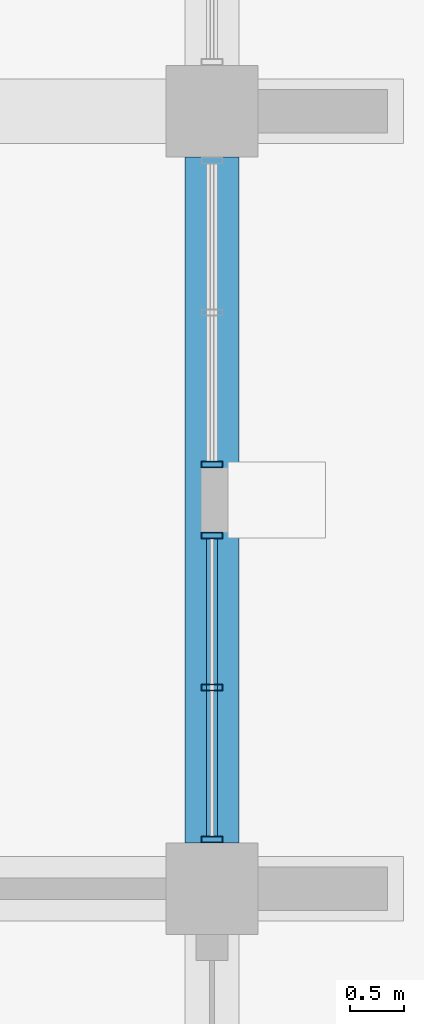
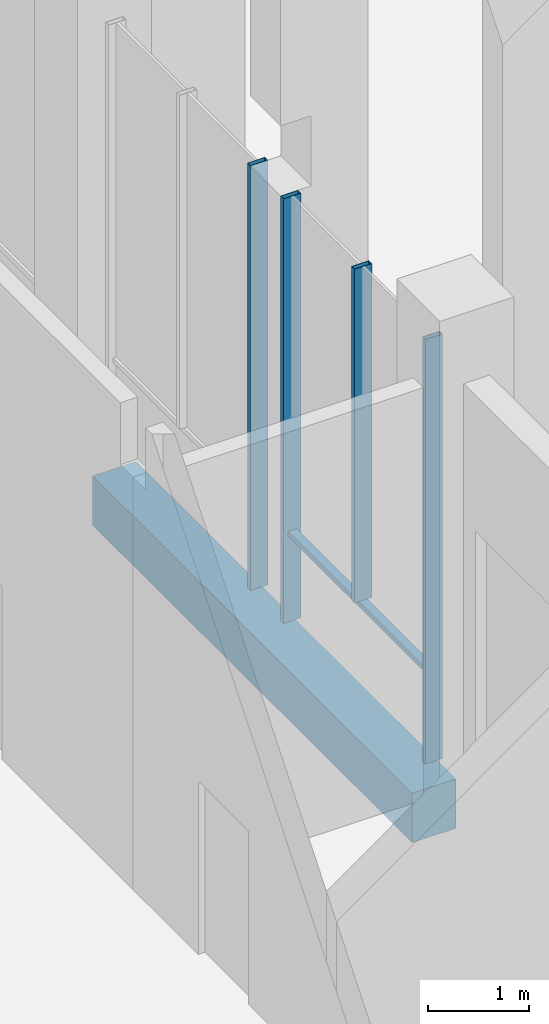
# One storey, part 18 of 50: 5 members, 1 beam, 2 elements without a shape of their own.
"""IFC4 building model written with IfcOpenShell, lengths in metres."""

from ifc_helpers import new_model, si_unit, direction, frame, origin, origin_2d, place, context, subcontext, project, spatial, rectangle, hollow_rectangle, extrude, material, material_profile, profile_set, type_object, element, aggregate, save


model = new_model("IFC4")

# Units and contexts
model_context = context("Model", 3, precision=1e-05, world=origin(), true_north=direction((0.0, 1.0)))
body_context = subcontext(model_context, "Body", "Model", "MODEL_VIEW")
ifc_project = project(units=[si_unit("LENGTHUNIT", "METRE"), si_unit("AREAUNIT", "SQUARE_METRE"), si_unit("VOLUMEUNIT", "CUBIC_METRE"), si_unit("PLANEANGLEUNIT", "RADIAN"), si_unit("MASSUNIT", "GRAM", prefix="KILO")], contexts=[model_context])

# Site, building, storey
site_placement = place(None, origin())
site = spatial("IfcSite", under=ifc_project, at=site_placement, CompositionType="ELEMENT")
building_placement = place(site_placement, origin())
building = spatial("IfcBuilding", under=site, at=building_placement, Name="Silangan Lancet Faculty of Sciences", CompositionType="ELEMENT")
storey_placement = place(building_placement, origin())
storey = spatial("IfcBuildingStorey", under=building, at=storey_placement, Name="L00", CompositionType="ELEMENT", Elevation=0.0)

# Beam
ifc_material_1 = material(Name="Concrete C40/50", Category="concrete")
ifc_material_profile_1 = material_profile(ifc_material_1, rectangle(XDim=0.5, YDim=0.60009765625, at=origin_2d()), Name="RC 500x600")
ifc_profile_set_1 = profile_set([ifc_material_profile_1], Name="Concrete C40/50")
beam_type = type_object("IfcBeamType", Name="BEAM RC 500x600", PredefinedType="BEAM", material=ifc_profile_set_1)
beam_placement = place(storey_placement, frame((86.39990234375, 22.02490234375, -0.60009765625), z_axis=(0.0, 1.0, 0.0), x_axis=(-1.0, 0.0, 0.0)))
element("IfcBeam", 1, at=beam_placement, inside=storey, type_object=beam_type, Name="BM-L00-13D-13E", PredefinedType="BEAM", context=body_context, shape_type="SweptSolid", body=[
    extrude(rectangle(XDim=0.5, YDim=0.60009765625, at=origin_2d()), origin(), (0.0, 0.0, 1.0), 6.35009765625),
])

# Curtain wall, members
ifc_material_2 = material(Name="Aluminium framed curtain wall with insulated glass", Category="aluminium")
curtain_wall_type = type_object("IfcCurtainWallType", Name="CW1 Commons and east block glazing", PredefinedType="NOTDEFINED", material=ifc_material_2)
curtain_wall_1_placement = place(storey_placement, origin())
curtain_wall_1 = element("IfcCurtainWall", 2, at=curtain_wall_1_placement, inside=storey, type_object=curtain_wall_type, Name="CW1 East commons L00 bay 5", PredefinedType="NOTDEFINED")
ifc_material_3 = material(Name="Aluminium 6063-T6 extrusion", Category="aluminium")
ifc_material_profile_2 = material_profile(ifc_material_3, hollow_rectangle(XDim=0.06005859375, YDim=0.199951171875, WallThickness=0.00390625, at=origin_2d()), Name="AL BOX 60x200x4")
ifc_profile_set_2 = profile_set([ifc_material_profile_2], Name="Aluminium 6063-T6 extrusion")
member_type_1 = type_object("IfcMemberType", Name="CM1 Mullion 60x200", PredefinedType="MULLION", material=ifc_profile_set_2)
member_1_placement = place(storey_placement, frame((86.39990234375, 22.054931640625, 0.0), z_axis=(0.0, 0.0, 1.0), x_axis=(0.0, 1.0, 0.0)))
member_1 = element("IfcMember", 3, at=member_1_placement, type_object=member_type_1, Name="CW1 East commons L00 bay 5 mullion 1", PredefinedType="MULLION", context=body_context, shape_type="SweptSolid", body=[
    extrude(hollow_rectangle(XDim=0.06005859375, YDim=0.199951171875, WallThickness=0.00390625, at=origin_2d()), origin(), (0.0, 0.0, 1.0), 5.14990234375),
])
member_2_placement = place(storey_placement, frame((86.39990234375, 24.8701171875, 0.0), z_axis=(0.0, 0.0, 1.0), x_axis=(0.0, 1.0, 0.0)))
member_2 = element("IfcMember", 4, at=member_2_placement, type_object=member_type_1, Name="CW1 East commons L00 bay 5 mullion 2", PredefinedType="MULLION", context=body_context, shape_type="SweptSolid", body=[
    extrude(hollow_rectangle(XDim=0.06005859375, YDim=0.199951171875, WallThickness=0.00390625, at=origin_2d()), origin(), (0.0, 0.0, 1.0), 5.14990234375),
])
member_3_placement = place(storey_placement, frame((86.39990234375, 23.46240234375, 1.10009765625), z_axis=(0.0, 0.0, 1.0), x_axis=(0.0, 1.0, 0.0)))
member_3 = element("IfcMember", 5, at=member_3_placement, type_object=member_type_1, Name="CW1 East commons L00 bay 5 mullion 3", PredefinedType="MULLION", context=body_context, shape_type="SweptSolid", body=[
    extrude(hollow_rectangle(XDim=0.06005859375, YDim=0.199951171875, WallThickness=0.00390625, at=origin_2d()), origin(), (0.0, 0.0, 1.0), 4.0498046875),
])

# Curtain wall, member
curtain_wall_2_placement = place(storey_placement, origin())
curtain_wall_2 = element("IfcCurtainWall", 6, at=curtain_wall_2_placement, inside=storey, type_object=curtain_wall_type, Name="CW1 East commons L00 bay 6", PredefinedType="NOTDEFINED")
member_4_placement = place(storey_placement, frame((86.39990234375, 25.530029296875, 0.0), z_axis=(0.0, 0.0, 1.0), x_axis=(0.0, 1.0, 0.0)))
member_4 = element("IfcMember", 7, at=member_4_placement, type_object=member_type_1, Name="CW1 East commons L00 bay 6 mullion 1", PredefinedType="MULLION", context=body_context, shape_type="SweptSolid", body=[
    extrude(hollow_rectangle(XDim=0.06005859375, YDim=0.199951171875, WallThickness=0.00390625, at=origin_2d()), origin(), (0.0, 0.0, 1.0), 5.14990234375),
])
aggregate(curtain_wall_2, [member_4])

# Member
ifc_material_4 = material(Name="Aluminium 6063-T6 extrusion", Category="aluminium")
ifc_material_profile_3 = material_profile(ifc_material_4, hollow_rectangle(XDim=0.10009765625, YDim=0.06005859375, WallThickness=0.0029296875, at=origin_2d()), Name="AL BOX 100x60x3")
ifc_profile_set_3 = profile_set([ifc_material_profile_3], Name="Aluminium 6063-T6 extrusion")
member_type_2 = type_object("IfcMemberType", Name="CT1 Transom 100x60", PredefinedType="USERDEFINED", material=ifc_profile_set_3)
member_5_placement = place(storey_placement, frame((86.39990234375, 22.0849609375, 1.070068359375), z_axis=(0.0, 1.0, 0.0), x_axis=(-1.0, 0.0, 0.0)))
member_5 = element("IfcMember", 8, at=member_5_placement, type_object=member_type_2, Name="CW1 East commons L00 bay 5 transom 1", ObjectType="TRANSOM", PredefinedType="USERDEFINED", context=body_context, shape_type="SweptSolid", body=[
    extrude(hollow_rectangle(XDim=0.10009765625, YDim=0.06005859375, WallThickness=0.0029296875, at=origin_2d()), origin(), (0.0, 0.0, 1.0), 2.755126953125),
])

aggregate(curtain_wall_1, [member_1, member_2, member_3, member_5])

save(model, "model.ifc")
